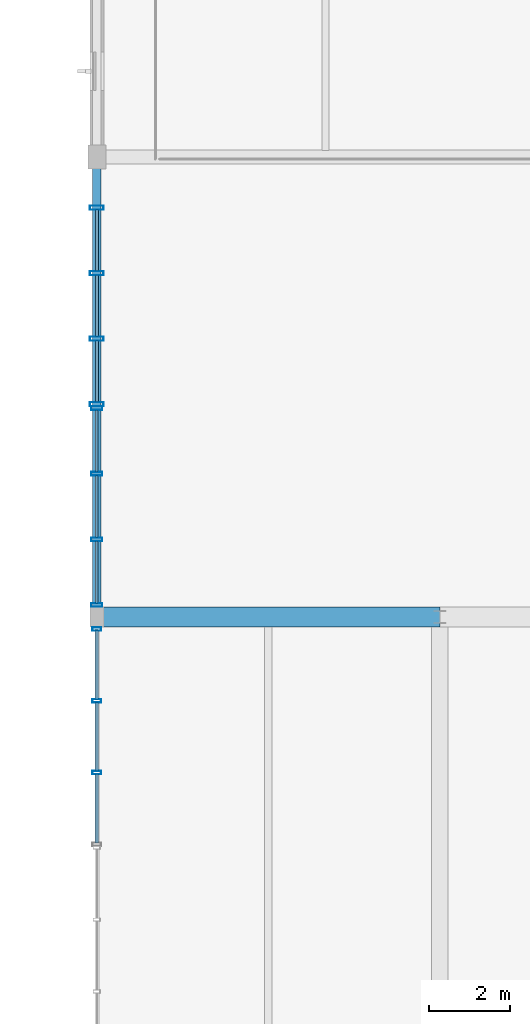
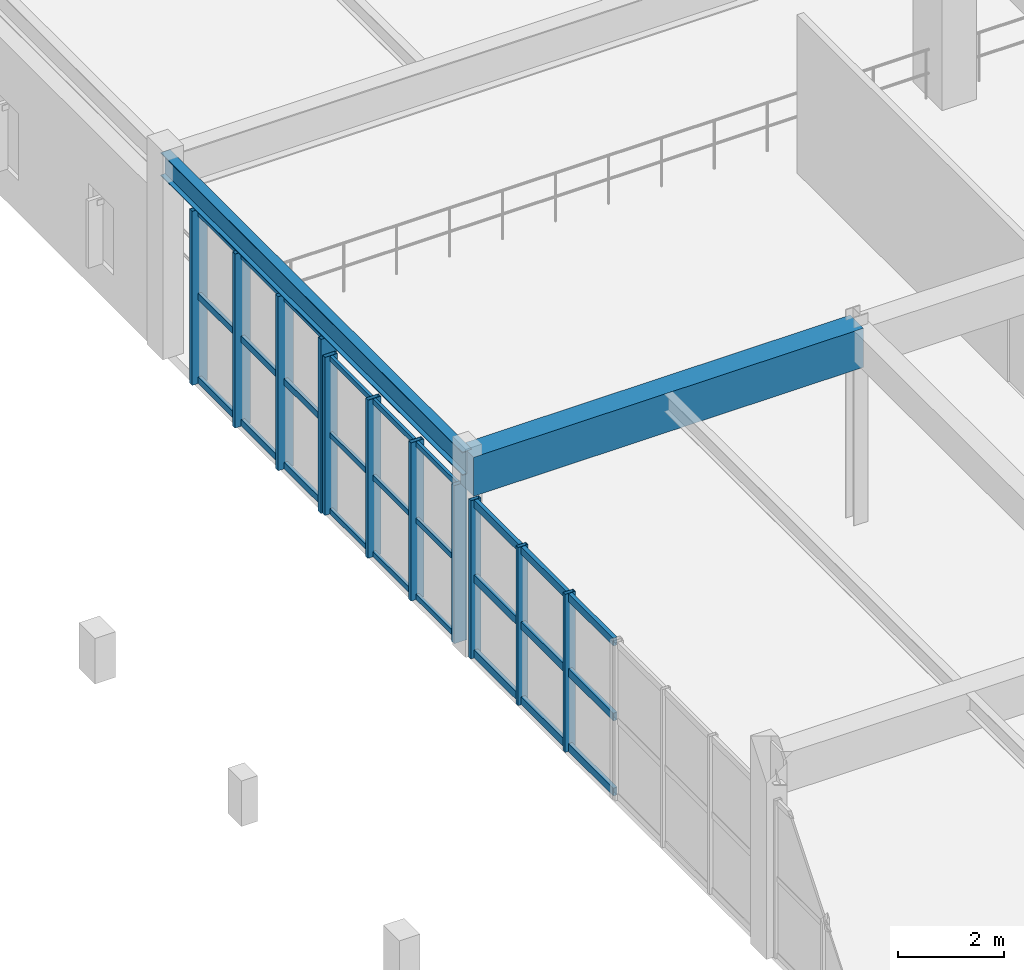
# One storey, part 48 of 106: 38 members, 2 beams, 3 elements without a shape of their own.
"""IFC4 building model written with IfcOpenShell, lengths in metres."""

from ifc_helpers import new_model, si_unit, direction, frame, origin, origin_2d, place, context, subcontext, project, spatial, rectangle, hollow_rectangle, i_section, extrude, material, layer, layer_set, material_profile, profile_set, type_object, element, aggregate, save


model = new_model("IFC4")

# Units and contexts
model_context = context("Model", 3, precision=1e-05, world=origin(), true_north=direction((0.0, 1.0)))
body_context = subcontext(model_context, "Body", "Model", "MODEL_VIEW")
ifc_project = project(units=[si_unit("LENGTHUNIT", "METRE"), si_unit("AREAUNIT", "SQUARE_METRE"), si_unit("VOLUMEUNIT", "CUBIC_METRE"), si_unit("PLANEANGLEUNIT", "RADIAN"), si_unit("MASSUNIT", "GRAM", prefix="KILO"), si_unit("POWERUNIT", "WATT"), si_unit("THERMODYNAMICTEMPERATUREUNIT", "KELVIN")], contexts=[model_context])

# Site, building, storey
site_placement = place(None, origin())
site = spatial("IfcSite", under=ifc_project, at=site_placement, CompositionType="ELEMENT")
building_placement = place(site_placement, origin())
building = spatial("IfcBuilding", under=site, at=building_placement, Name="Kelmbourne Parkland Aquatics Centre", CompositionType="ELEMENT")
storey_placement = place(building_placement, frame((0.0, 0.0, 5.39990234375)))
storey = spatial("IfcBuildingStorey", under=building, at=storey_placement, Name="L01", CompositionType="ELEMENT", Elevation=5.39990234375)

# Beams
ifc_material_1 = material(Name="Concrete C40/50", Category="concrete")
ifc_material_profile_1 = material_profile(ifc_material_1, rectangle(XDim=0.5, YDim=0.89990234375, at=origin_2d()), Name="RC 500x900")
ifc_profile_set_1 = profile_set([ifc_material_profile_1], Name="Concrete C40/50")
beam_type_1 = type_object("IfcBeamType", Name="BM-G03", PredefinedType="BEAM", material=ifc_profile_set_1)
beam_1_placement = place(storey_placement, frame((102.0, 69.199951171875, 4.110107421875), z_axis=(1.0, 0.0, 0.0), x_axis=(0.0, 1.0, 0.0)))
element("IfcBeam", 1, at=beam_1_placement, inside=storey, type_object=beam_type_1, Name="Primary girder M-N Grid 10 (L02)", PredefinedType="BEAM", context=body_context, shape_type="SweptSolid", body=[
    extrude(rectangle(XDim=0.5, YDim=0.89990234375, at=origin_2d()), origin(), (0.0, 0.0, 1.0), 8.5),
])
ifc_material_2 = material(Name="Structural steel AS/NZS 3679.1 Grade 300", Category="steel")
ifc_material_profile_2 = material_profile(ifc_material_2, i_section(OverallWidth=0.208984375, OverallDepth=0.532958984375, WebThickness=0.01025390625, FlangeThickness=0.015625, at=origin_2d()), Name="530UB92.4")
ifc_profile_set_2 = profile_set([ifc_material_profile_2], Name="Structural steel AS/NZS 3679.1 Grade 300")
beam_type_2 = type_object("IfcBeamType", Name="BM-SP02", PredefinedType="SPANDREL", material=ifc_profile_set_2)
beam_2_placement = place(storey_placement, frame((102.0, 69.199951171875, 4.293701171875), z_axis=(0.0, 1.0, 0.0), x_axis=(-1.0, 0.0, 0.0)))
element("IfcBeam", 2, at=beam_2_placement, inside=storey, type_object=beam_type_2, Name="Perimeter spandrel 10-11 Grid M (L02)", PredefinedType="SPANDREL", context=body_context, shape_type="SweptSolid", body=[
    extrude(i_section(OverallWidth=0.208984375, OverallDepth=0.532958984375, WebThickness=0.01025390625, FlangeThickness=0.015625, at=origin_2d()), origin(), (0.0, 0.0, 1.0), 11.400146484375),
])

# Curtain wall, members
ifc_material_3 = material(Name="Thermally broken anodised aluminium framing", Category="aluminium")
ifc_layer_1 = layer(ifc_material_3, 0.179931640625)
ifc_layer_set_1 = layer_set([ifc_layer_1], Name="Thermally broken anodised aluminium framing")
curtain_wall_type_1 = type_object("IfcCurtainWallType", Name="CW-05", PredefinedType="NOTDEFINED", material=ifc_layer_set_1)
curtain_wall_1_placement = place(storey_placement, origin())
curtain_wall_1 = element("IfcCurtainWall", 3, at=curtain_wall_1_placement, inside=storey, type_object=curtain_wall_type_1, Name="Facade curtain wall CW-L01-197", PredefinedType="NOTDEFINED")
ifc_material_profile_3 = material_profile(ifc_material_3, hollow_rectangle(XDim=0.0849609375, YDim=0.219970703125, WallThickness=0.0048828125, at=origin_2d()), Name="CW-M 85x220")
ifc_profile_set_3 = profile_set([ifc_material_profile_3], Name="Thermally broken anodised aluminium framing")
member_type_1 = type_object("IfcMemberType", Name="MB-MUL-3", PredefinedType="MULLION", material=ifc_profile_set_3)
member_1_placement = place(storey_placement, frame((102.0, 65.3466796875, 0.0), z_axis=(0.0, 0.0, 1.0), x_axis=(0.0, 1.0, 0.0)))
member_1 = element("IfcMember", 4, at=member_1_placement, type_object=member_type_1, Name="CW-L01-197 mullion 1", PredefinedType="MULLION", context=body_context, shape_type="SweptSolid", body=[
    extrude(hollow_rectangle(XDim=0.0849609375, YDim=0.219970703125, WallThickness=0.0048828125, at=origin_2d()), origin(), (0.0, 0.0, 1.0), 3.64501953125),
])
member_2_placement = place(storey_placement, frame((102.0, 67.126220703125, 0.0), z_axis=(0.0, 0.0, 1.0), x_axis=(0.0, 1.0, 0.0)))
member_2 = element("IfcMember", 5, at=member_2_placement, type_object=member_type_1, Name="CW-L01-197 mullion 2", PredefinedType="MULLION", context=body_context, shape_type="SweptSolid", body=[
    extrude(hollow_rectangle(XDim=0.0849609375, YDim=0.219970703125, WallThickness=0.0048828125, at=origin_2d()), origin(), (0.0, 0.0, 1.0), 3.64501953125),
])
member_3_placement = place(storey_placement, frame((102.0, 68.905517578125, 0.0), z_axis=(0.0, 0.0, 1.0), x_axis=(0.0, 1.0, 0.0)))
member_3 = element("IfcMember", 6, at=member_3_placement, type_object=member_type_1, Name="CW-L01-197 mullion 3", PredefinedType="MULLION", context=body_context, shape_type="SweptSolid", body=[
    extrude(hollow_rectangle(XDim=0.0849609375, YDim=0.219970703125, WallThickness=0.0048828125, at=origin_2d()), origin(), (0.0, 0.0, 1.0), 3.64501953125),
])

ifc_layer_2 = layer(ifc_material_3, 0.179931640625)
ifc_layer_set_2 = layer_set([ifc_layer_2], Name="Thermally broken anodised aluminium framing")
curtain_wall_type_2 = type_object("IfcCurtainWallType", Name="CW-06", PredefinedType="NOTDEFINED", material=ifc_layer_set_2)
curtain_wall_2_placement = place(storey_placement, origin())
curtain_wall_2 = element("IfcCurtainWall", 7, at=curtain_wall_2_placement, inside=storey, type_object=curtain_wall_type_2, Name="Facade curtain wall CW-L01-198", PredefinedType="NOTDEFINED")
ifc_material_profile_4 = material_profile(ifc_material_3, hollow_rectangle(XDim=0.094970703125, YDim=0.280029296875, WallThickness=0.005615234375, at=origin_2d()), Name="CW-M 95x280")
ifc_profile_set_4 = profile_set([ifc_material_profile_4], Name="Thermally broken anodised aluminium framing")
member_type_2 = type_object("IfcMemberType", Name="MB-MUL-4", PredefinedType="MULLION", material=ifc_profile_set_4)
member_4_placement = place(storey_placement, frame((102.0, 69.49951171875, 0.0), z_axis=(0.0, 0.0, 1.0), x_axis=(0.0, 1.0, 0.0)))
member_4 = element("IfcMember", 8, at=member_4_placement, type_object=member_type_2, Name="CW-L01-198 mullion 0", PredefinedType="MULLION", context=body_context, shape_type="SweptSolid", body=[
    extrude(hollow_rectangle(XDim=0.094970703125, YDim=0.280029296875, WallThickness=0.005615234375, at=origin_2d()), origin(), (0.0, 0.0, 1.0), 3.64501953125),
])
member_5_placement = place(storey_placement, frame((102.0, 71.125732421875, 0.0), z_axis=(0.0, 0.0, 1.0), x_axis=(0.0, 1.0, 0.0)))
member_5 = element("IfcMember", 9, at=member_5_placement, type_object=member_type_2, Name="CW-L01-198 mullion 1", PredefinedType="MULLION", context=body_context, shape_type="SweptSolid", body=[
    extrude(hollow_rectangle(XDim=0.094970703125, YDim=0.280029296875, WallThickness=0.005615234375, at=origin_2d()), origin(), (0.0, 0.0, 1.0), 3.64501953125),
])
member_6_placement = place(storey_placement, frame((102.0, 72.752197265625, 0.0), z_axis=(0.0, 0.0, 1.0), x_axis=(0.0, 1.0, 0.0)))
member_6 = element("IfcMember", 10, at=member_6_placement, type_object=member_type_2, Name="CW-L01-198 mullion 2", PredefinedType="MULLION", context=body_context, shape_type="SweptSolid", body=[
    extrude(hollow_rectangle(XDim=0.094970703125, YDim=0.280029296875, WallThickness=0.005615234375, at=origin_2d()), origin(), (0.0, 0.0, 1.0), 3.64501953125),
])
member_7_placement = place(storey_placement, frame((102.0, 74.37841796875, 0.0), z_axis=(0.0, 0.0, 1.0), x_axis=(0.0, 1.0, 0.0)))
member_7 = element("IfcMember", 11, at=member_7_placement, type_object=member_type_2, Name="CW-L01-198 mullion 3", PredefinedType="MULLION", context=body_context, shape_type="SweptSolid", body=[
    extrude(hollow_rectangle(XDim=0.094970703125, YDim=0.280029296875, WallThickness=0.005615234375, at=origin_2d()), origin(), (0.0, 0.0, 1.0), 3.64501953125),
])

ifc_layer_3 = layer(ifc_material_3, 0.179931640625)
ifc_layer_set_3 = layer_set([ifc_layer_3], Name="Thermally broken anodised aluminium framing")
curtain_wall_type_3 = type_object("IfcCurtainWallType", Name="CW-07", PredefinedType="NOTDEFINED", material=ifc_layer_set_3)
curtain_wall_3_placement = place(storey_placement, origin())
curtain_wall_3 = element("IfcCurtainWall", 12, at=curtain_wall_3_placement, inside=storey, type_object=curtain_wall_type_3, Name="Facade curtain wall CW-L01-199", PredefinedType="NOTDEFINED")
ifc_material_profile_5 = material_profile(ifc_material_3, hollow_rectangle(XDim=0.10498046875, YDim=0.340087890625, WallThickness=0.006103515625, at=origin_2d()), Name="CW-M 105x340")
ifc_profile_set_5 = profile_set([ifc_material_profile_5], Name="Thermally broken anodised aluminium framing")
member_type_3 = type_object("IfcMemberType", Name="MB-MUL-5", PredefinedType="MULLION", material=ifc_profile_set_5)
member_8_placement = place(storey_placement, frame((102.0, 74.478515625, 0.0), z_axis=(0.0, 0.0, 1.0), x_axis=(0.0, 1.0, 0.0)))
member_8 = element("IfcMember", 13, at=member_8_placement, type_object=member_type_3, Name="CW-L01-199 mullion 0", PredefinedType="MULLION", context=body_context, shape_type="SweptSolid", body=[
    extrude(hollow_rectangle(XDim=0.10498046875, YDim=0.340087890625, WallThickness=0.006103515625, at=origin_2d()), origin(), (0.0, 0.0, 1.0), 4.01220703125),
])
member_9_placement = place(storey_placement, frame((102.0, 76.1015625, 0.0), z_axis=(0.0, 0.0, 1.0), x_axis=(0.0, 1.0, 0.0)))
member_9 = element("IfcMember", 14, at=member_9_placement, type_object=member_type_3, Name="CW-L01-199 mullion 1", PredefinedType="MULLION", context=body_context, shape_type="SweptSolid", body=[
    extrude(hollow_rectangle(XDim=0.10498046875, YDim=0.340087890625, WallThickness=0.006103515625, at=origin_2d()), origin(), (0.0, 0.0, 1.0), 4.01220703125),
])
member_10_placement = place(storey_placement, frame((102.0, 77.724609375, 0.0), z_axis=(0.0, 0.0, 1.0), x_axis=(0.0, 1.0, 0.0)))
member_10 = element("IfcMember", 15, at=member_10_placement, type_object=member_type_3, Name="CW-L01-199 mullion 2", PredefinedType="MULLION", context=body_context, shape_type="SweptSolid", body=[
    extrude(hollow_rectangle(XDim=0.10498046875, YDim=0.340087890625, WallThickness=0.006103515625, at=origin_2d()), origin(), (0.0, 0.0, 1.0), 4.01220703125),
])
member_11_placement = place(storey_placement, frame((102.0, 79.347412109375, 0.0), z_axis=(0.0, 0.0, 1.0), x_axis=(0.0, 1.0, 0.0)))
member_11 = element("IfcMember", 16, at=member_11_placement, type_object=member_type_3, Name="CW-L01-199 mullion 3", PredefinedType="MULLION", context=body_context, shape_type="SweptSolid", body=[
    extrude(hollow_rectangle(XDim=0.10498046875, YDim=0.340087890625, WallThickness=0.006103515625, at=origin_2d()), origin(), (0.0, 0.0, 1.0), 4.01220703125),
])

# Member
ifc_material_profile_6 = material_profile(ifc_material_3, hollow_rectangle(XDim=0.06494140625, YDim=0.1201171875, WallThickness=0.00341796875, at=origin_2d()), Name="CW-T 65x120")
ifc_profile_set_6 = profile_set([ifc_material_profile_6], Name="Thermally broken anodised aluminium framing")
member_type_4 = type_object("IfcMemberType", Name="MB-TRN-1", PredefinedType="USERDEFINED", material=ifc_profile_set_6)
member_12_placement = place(storey_placement, frame((102.0, 69.54296875, 0.06298828125), z_axis=(0.0, 1.0, 0.0), x_axis=(-1.0, 0.0, 0.0)))
member_12 = element("IfcMember", 17, at=member_12_placement, type_object=member_type_4, Name="CW-L01-198 transom 0-0", ObjectType="TRANSOM", PredefinedType="USERDEFINED", context=body_context, shape_type="SweptSolid", body=[
    extrude(hollow_rectangle(XDim=0.06494140625, YDim=0.1201171875, WallThickness=0.00341796875, at=origin_2d()), origin(), (0.0, 0.0, 1.0), 1.539306640625),
])

member_13_placement = place(storey_placement, frame((102.0, 71.169189453125, 0.06298828125), z_axis=(0.0, 1.0, 0.0), x_axis=(-1.0, 0.0, 0.0)))
member_13 = element("IfcMember", 18, at=member_13_placement, type_object=member_type_4, Name="CW-L01-198 transom 0-1", ObjectType="TRANSOM", PredefinedType="USERDEFINED", context=body_context, shape_type="SweptSolid", body=[
    extrude(hollow_rectangle(XDim=0.06494140625, YDim=0.1201171875, WallThickness=0.00341796875, at=origin_2d()), origin(), (0.0, 0.0, 1.0), 1.53955078125),
])

member_14_placement = place(storey_placement, frame((102.0, 72.795654296875, 0.06298828125), z_axis=(0.0, 1.0, 0.0), x_axis=(-1.0, 0.0, 0.0)))
member_14 = element("IfcMember", 19, at=member_14_placement, type_object=member_type_4, Name="CW-L01-198 transom 0-2", ObjectType="TRANSOM", PredefinedType="USERDEFINED", context=body_context, shape_type="SweptSolid", body=[
    extrude(hollow_rectangle(XDim=0.06494140625, YDim=0.1201171875, WallThickness=0.00341796875, at=origin_2d()), origin(), (0.0, 0.0, 1.0), 1.539306640625),
])

member_15_placement = place(storey_placement, frame((102.0, 69.54296875, 1.822509765625), z_axis=(0.0, 1.0, 0.0), x_axis=(-1.0, 0.0, 0.0)))
member_15 = element("IfcMember", 20, at=member_15_placement, type_object=member_type_4, Name="CW-L01-198 transom 1-0", ObjectType="TRANSOM", PredefinedType="USERDEFINED", context=body_context, shape_type="SweptSolid", body=[
    extrude(hollow_rectangle(XDim=0.06494140625, YDim=0.1201171875, WallThickness=0.00341796875, at=origin_2d()), origin(), (0.0, 0.0, 1.0), 1.539306640625),
])

member_16_placement = place(storey_placement, frame((102.0, 71.169189453125, 1.822509765625), z_axis=(0.0, 1.0, 0.0), x_axis=(-1.0, 0.0, 0.0)))
member_16 = element("IfcMember", 21, at=member_16_placement, type_object=member_type_4, Name="CW-L01-198 transom 1-1", ObjectType="TRANSOM", PredefinedType="USERDEFINED", context=body_context, shape_type="SweptSolid", body=[
    extrude(hollow_rectangle(XDim=0.06494140625, YDim=0.1201171875, WallThickness=0.00341796875, at=origin_2d()), origin(), (0.0, 0.0, 1.0), 1.53955078125),
])

member_17_placement = place(storey_placement, frame((102.0, 72.795654296875, 1.822509765625), z_axis=(0.0, 1.0, 0.0), x_axis=(-1.0, 0.0, 0.0)))
member_17 = element("IfcMember", 22, at=member_17_placement, type_object=member_type_4, Name="CW-L01-198 transom 1-2", ObjectType="TRANSOM", PredefinedType="USERDEFINED", context=body_context, shape_type="SweptSolid", body=[
    extrude(hollow_rectangle(XDim=0.06494140625, YDim=0.1201171875, WallThickness=0.00341796875, at=origin_2d()), origin(), (0.0, 0.0, 1.0), 1.539306640625),
])

member_18_placement = place(storey_placement, frame((102.0, 69.54296875, 3.58203125), z_axis=(0.0, 1.0, 0.0), x_axis=(-1.0, 0.0, 0.0)))
member_18 = element("IfcMember", 23, at=member_18_placement, type_object=member_type_4, Name="CW-L01-198 transom 2-0", ObjectType="TRANSOM", PredefinedType="USERDEFINED", context=body_context, shape_type="SweptSolid", body=[
    extrude(hollow_rectangle(XDim=0.06494140625, YDim=0.1201171875, WallThickness=0.00341796875, at=origin_2d()), origin(), (0.0, 0.0, 1.0), 1.539306640625),
])

member_19_placement = place(storey_placement, frame((102.0, 71.169189453125, 3.58203125), z_axis=(0.0, 1.0, 0.0), x_axis=(-1.0, 0.0, 0.0)))
member_19 = element("IfcMember", 24, at=member_19_placement, type_object=member_type_4, Name="CW-L01-198 transom 2-1", ObjectType="TRANSOM", PredefinedType="USERDEFINED", context=body_context, shape_type="SweptSolid", body=[
    extrude(hollow_rectangle(XDim=0.06494140625, YDim=0.1201171875, WallThickness=0.00341796875, at=origin_2d()), origin(), (0.0, 0.0, 1.0), 1.53955078125),
])

member_20_placement = place(storey_placement, frame((102.0, 72.795654296875, 3.58203125), z_axis=(0.0, 1.0, 0.0), x_axis=(-1.0, 0.0, 0.0)))
member_20 = element("IfcMember", 25, at=member_20_placement, type_object=member_type_4, Name="CW-L01-198 transom 2-2", ObjectType="TRANSOM", PredefinedType="USERDEFINED", context=body_context, shape_type="SweptSolid", body=[
    extrude(hollow_rectangle(XDim=0.06494140625, YDim=0.1201171875, WallThickness=0.00341796875, at=origin_2d()), origin(), (0.0, 0.0, 1.0), 1.539306640625),
])

aggregate(curtain_wall_2, [member_4, member_5, member_6, member_7, member_12, member_13, member_14, member_15, member_16, member_17, member_18, member_19, member_20])

ifc_material_profile_7 = material_profile(ifc_material_3, hollow_rectangle(XDim=0.074951171875, YDim=0.14990234375, WallThickness=0.00390625, at=origin_2d()), Name="CW-T 75x150")
ifc_profile_set_7 = profile_set([ifc_material_profile_7], Name="Thermally broken anodised aluminium framing")
member_type_5 = type_object("IfcMemberType", Name="MB-TRN-2", PredefinedType="USERDEFINED", material=ifc_profile_set_7)
member_21_placement = place(storey_placement, frame((102.0, 74.527099609375, 0.078125), z_axis=(0.0, 1.0, 0.0), x_axis=(-1.0, 0.0, 0.0)))
member_21 = element("IfcMember", 26, at=member_21_placement, type_object=member_type_5, Name="CW-L01-199 transom 0-0", ObjectType="TRANSOM", PredefinedType="USERDEFINED", context=body_context, shape_type="SweptSolid", body=[
    extrude(hollow_rectangle(XDim=0.074951171875, YDim=0.14990234375, WallThickness=0.00390625, at=origin_2d()), origin(), (0.0, 0.0, 1.0), 1.52587890625),
])

member_22_placement = place(storey_placement, frame((102.0, 76.14990234375, 0.078125), z_axis=(0.0, 1.0, 0.0), x_axis=(-1.0, 0.0, 0.0)))
member_22 = element("IfcMember", 27, at=member_22_placement, type_object=member_type_5, Name="CW-L01-199 transom 0-1", ObjectType="TRANSOM", PredefinedType="USERDEFINED", context=body_context, shape_type="SweptSolid", body=[
    extrude(hollow_rectangle(XDim=0.074951171875, YDim=0.14990234375, WallThickness=0.00390625, at=origin_2d()), origin(), (0.0, 0.0, 1.0), 1.526123046875),
])

member_23_placement = place(storey_placement, frame((102.0, 77.77294921875, 0.078125), z_axis=(0.0, 1.0, 0.0), x_axis=(-1.0, 0.0, 0.0)))
member_23 = element("IfcMember", 28, at=member_23_placement, type_object=member_type_5, Name="CW-L01-199 transom 0-2", ObjectType="TRANSOM", PredefinedType="USERDEFINED", context=body_context, shape_type="SweptSolid", body=[
    extrude(hollow_rectangle(XDim=0.074951171875, YDim=0.14990234375, WallThickness=0.00390625, at=origin_2d()), origin(), (0.0, 0.0, 1.0), 1.526123046875),
])

member_24_placement = place(storey_placement, frame((102.0, 74.527099609375, 2.006103515625), z_axis=(0.0, 1.0, 0.0), x_axis=(-1.0, 0.0, 0.0)))
member_24 = element("IfcMember", 29, at=member_24_placement, type_object=member_type_5, Name="CW-L01-199 transom 1-0", ObjectType="TRANSOM", PredefinedType="USERDEFINED", context=body_context, shape_type="SweptSolid", body=[
    extrude(hollow_rectangle(XDim=0.074951171875, YDim=0.14990234375, WallThickness=0.00390625, at=origin_2d()), origin(), (0.0, 0.0, 1.0), 1.52587890625),
])

member_25_placement = place(storey_placement, frame((102.0, 76.14990234375, 2.006103515625), z_axis=(0.0, 1.0, 0.0), x_axis=(-1.0, 0.0, 0.0)))
member_25 = element("IfcMember", 30, at=member_25_placement, type_object=member_type_5, Name="CW-L01-199 transom 1-1", ObjectType="TRANSOM", PredefinedType="USERDEFINED", context=body_context, shape_type="SweptSolid", body=[
    extrude(hollow_rectangle(XDim=0.074951171875, YDim=0.14990234375, WallThickness=0.00390625, at=origin_2d()), origin(), (0.0, 0.0, 1.0), 1.526123046875),
])

member_26_placement = place(storey_placement, frame((102.0, 77.77294921875, 2.006103515625), z_axis=(0.0, 1.0, 0.0), x_axis=(-1.0, 0.0, 0.0)))
member_26 = element("IfcMember", 31, at=member_26_placement, type_object=member_type_5, Name="CW-L01-199 transom 1-2", ObjectType="TRANSOM", PredefinedType="USERDEFINED", context=body_context, shape_type="SweptSolid", body=[
    extrude(hollow_rectangle(XDim=0.074951171875, YDim=0.14990234375, WallThickness=0.00390625, at=origin_2d()), origin(), (0.0, 0.0, 1.0), 1.526123046875),
])

member_27_placement = place(storey_placement, frame((102.0, 74.527099609375, 3.93408203125), z_axis=(0.0, 1.0, 0.0), x_axis=(-1.0, 0.0, 0.0)))
member_27 = element("IfcMember", 32, at=member_27_placement, type_object=member_type_5, Name="CW-L01-199 transom 2-0", ObjectType="TRANSOM", PredefinedType="USERDEFINED", context=body_context, shape_type="SweptSolid", body=[
    extrude(hollow_rectangle(XDim=0.074951171875, YDim=0.14990234375, WallThickness=0.00390625, at=origin_2d()), origin(), (0.0, 0.0, 1.0), 1.52587890625),
])

member_28_placement = place(storey_placement, frame((102.0, 76.14990234375, 3.93408203125), z_axis=(0.0, 1.0, 0.0), x_axis=(-1.0, 0.0, 0.0)))
member_28 = element("IfcMember", 33, at=member_28_placement, type_object=member_type_5, Name="CW-L01-199 transom 2-1", ObjectType="TRANSOM", PredefinedType="USERDEFINED", context=body_context, shape_type="SweptSolid", body=[
    extrude(hollow_rectangle(XDim=0.074951171875, YDim=0.14990234375, WallThickness=0.00390625, at=origin_2d()), origin(), (0.0, 0.0, 1.0), 1.526123046875),
])

member_29_placement = place(storey_placement, frame((102.0, 77.77294921875, 3.93408203125), z_axis=(0.0, 1.0, 0.0), x_axis=(-1.0, 0.0, 0.0)))
member_29 = element("IfcMember", 34, at=member_29_placement, type_object=member_type_5, Name="CW-L01-199 transom 2-2", ObjectType="TRANSOM", PredefinedType="USERDEFINED", context=body_context, shape_type="SweptSolid", body=[
    extrude(hollow_rectangle(XDim=0.074951171875, YDim=0.14990234375, WallThickness=0.00390625, at=origin_2d()), origin(), (0.0, 0.0, 1.0), 1.526123046875),
])

aggregate(curtain_wall_3, [member_8, member_9, member_10, member_11, member_21, member_22, member_23, member_24, member_25, member_26, member_27, member_28, member_29])

ifc_material_profile_8 = material_profile(ifc_material_3, hollow_rectangle(XDim=0.0849609375, YDim=0.179931640625, WallThickness=0.00439453125, at=origin_2d()), Name="CW-T 85x180")
ifc_profile_set_8 = profile_set([ifc_material_profile_8], Name="Thermally broken anodised aluminium framing")
member_type_6 = type_object("IfcMemberType", Name="MB-TRN-3", PredefinedType="USERDEFINED", material=ifc_profile_set_8)
member_30_placement = place(storey_placement, frame((102.0, 63.60595703125, 0.093017578125), z_axis=(0.0, 1.0, 0.0), x_axis=(-1.0, 0.0, 0.0)))
member_30 = element("IfcMember", 35, at=member_30_placement, type_object=member_type_6, Name="CW-L01-197 transom 0-0", ObjectType="TRANSOM", PredefinedType="USERDEFINED", context=body_context, shape_type="SweptSolid", body=[
    extrude(hollow_rectangle(XDim=0.0849609375, YDim=0.179931640625, WallThickness=0.00439453125, at=origin_2d()), origin(), (0.0, 0.0, 1.0), 1.702392578125),
])

member_31_placement = place(storey_placement, frame((102.0, 65.38525390625, 0.093017578125), z_axis=(0.0, 1.0, 0.0), x_axis=(-1.0, 0.0, 0.0)))
member_31 = element("IfcMember", 36, at=member_31_placement, type_object=member_type_6, Name="CW-L01-197 transom 0-1", ObjectType="TRANSOM", PredefinedType="USERDEFINED", context=body_context, shape_type="SweptSolid", body=[
    extrude(hollow_rectangle(XDim=0.0849609375, YDim=0.179931640625, WallThickness=0.00439453125, at=origin_2d()), origin(), (0.0, 0.0, 1.0), 1.702392578125),
])

member_32_placement = place(storey_placement, frame((102.0, 67.164794921875, 0.093017578125), z_axis=(0.0, 1.0, 0.0), x_axis=(-1.0, 0.0, 0.0)))
member_32 = element("IfcMember", 37, at=member_32_placement, type_object=member_type_6, Name="CW-L01-197 transom 0-2", ObjectType="TRANSOM", PredefinedType="USERDEFINED", context=body_context, shape_type="SweptSolid", body=[
    extrude(hollow_rectangle(XDim=0.0849609375, YDim=0.179931640625, WallThickness=0.00439453125, at=origin_2d()), origin(), (0.0, 0.0, 1.0), 1.7021484375),
])

member_33_placement = place(storey_placement, frame((102.0, 63.60595703125, 1.822509765625), z_axis=(0.0, 1.0, 0.0), x_axis=(-1.0, 0.0, 0.0)))
member_33 = element("IfcMember", 38, at=member_33_placement, type_object=member_type_6, Name="CW-L01-197 transom 1-0", ObjectType="TRANSOM", PredefinedType="USERDEFINED", context=body_context, shape_type="SweptSolid", body=[
    extrude(hollow_rectangle(XDim=0.0849609375, YDim=0.179931640625, WallThickness=0.00439453125, at=origin_2d()), origin(), (0.0, 0.0, 1.0), 1.702392578125),
])

member_34_placement = place(storey_placement, frame((102.0, 65.38525390625, 1.822509765625), z_axis=(0.0, 1.0, 0.0), x_axis=(-1.0, 0.0, 0.0)))
member_34 = element("IfcMember", 39, at=member_34_placement, type_object=member_type_6, Name="CW-L01-197 transom 1-1", ObjectType="TRANSOM", PredefinedType="USERDEFINED", context=body_context, shape_type="SweptSolid", body=[
    extrude(hollow_rectangle(XDim=0.0849609375, YDim=0.179931640625, WallThickness=0.00439453125, at=origin_2d()), origin(), (0.0, 0.0, 1.0), 1.702392578125),
])

member_35_placement = place(storey_placement, frame((102.0, 67.164794921875, 1.822509765625), z_axis=(0.0, 1.0, 0.0), x_axis=(-1.0, 0.0, 0.0)))
member_35 = element("IfcMember", 40, at=member_35_placement, type_object=member_type_6, Name="CW-L01-197 transom 1-2", ObjectType="TRANSOM", PredefinedType="USERDEFINED", context=body_context, shape_type="SweptSolid", body=[
    extrude(hollow_rectangle(XDim=0.0849609375, YDim=0.179931640625, WallThickness=0.00439453125, at=origin_2d()), origin(), (0.0, 0.0, 1.0), 1.7021484375),
])

member_36_placement = place(storey_placement, frame((102.0, 63.60595703125, 3.552001953125), z_axis=(0.0, 1.0, 0.0), x_axis=(-1.0, 0.0, 0.0)))
member_36 = element("IfcMember", 41, at=member_36_placement, type_object=member_type_6, Name="CW-L01-197 transom 2-0", ObjectType="TRANSOM", PredefinedType="USERDEFINED", context=body_context, shape_type="SweptSolid", body=[
    extrude(hollow_rectangle(XDim=0.0849609375, YDim=0.179931640625, WallThickness=0.00439453125, at=origin_2d()), origin(), (0.0, 0.0, 1.0), 1.702392578125),
])

member_37_placement = place(storey_placement, frame((102.0, 65.38525390625, 3.552001953125), z_axis=(0.0, 1.0, 0.0), x_axis=(-1.0, 0.0, 0.0)))
member_37 = element("IfcMember", 42, at=member_37_placement, type_object=member_type_6, Name="CW-L01-197 transom 2-1", ObjectType="TRANSOM", PredefinedType="USERDEFINED", context=body_context, shape_type="SweptSolid", body=[
    extrude(hollow_rectangle(XDim=0.0849609375, YDim=0.179931640625, WallThickness=0.00439453125, at=origin_2d()), origin(), (0.0, 0.0, 1.0), 1.702392578125),
])

member_38_placement = place(storey_placement, frame((102.0, 67.164794921875, 3.552001953125), z_axis=(0.0, 1.0, 0.0), x_axis=(-1.0, 0.0, 0.0)))
member_38 = element("IfcMember", 43, at=member_38_placement, type_object=member_type_6, Name="CW-L01-197 transom 2-2", ObjectType="TRANSOM", PredefinedType="USERDEFINED", context=body_context, shape_type="SweptSolid", body=[
    extrude(hollow_rectangle(XDim=0.0849609375, YDim=0.179931640625, WallThickness=0.00439453125, at=origin_2d()), origin(), (0.0, 0.0, 1.0), 1.7021484375),
])

aggregate(curtain_wall_1, [member_1, member_2, member_3, member_30, member_31, member_32, member_33, member_34, member_35, member_36, member_37, member_38])

save(model, "model.ifc")
